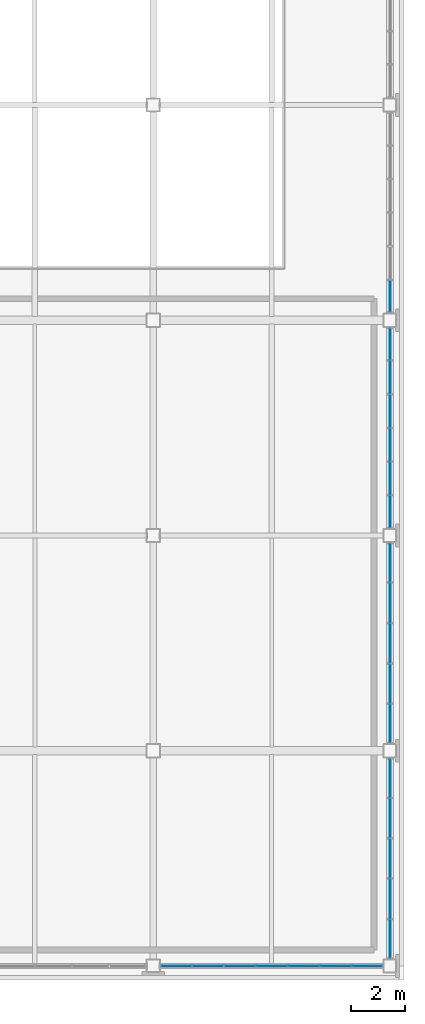
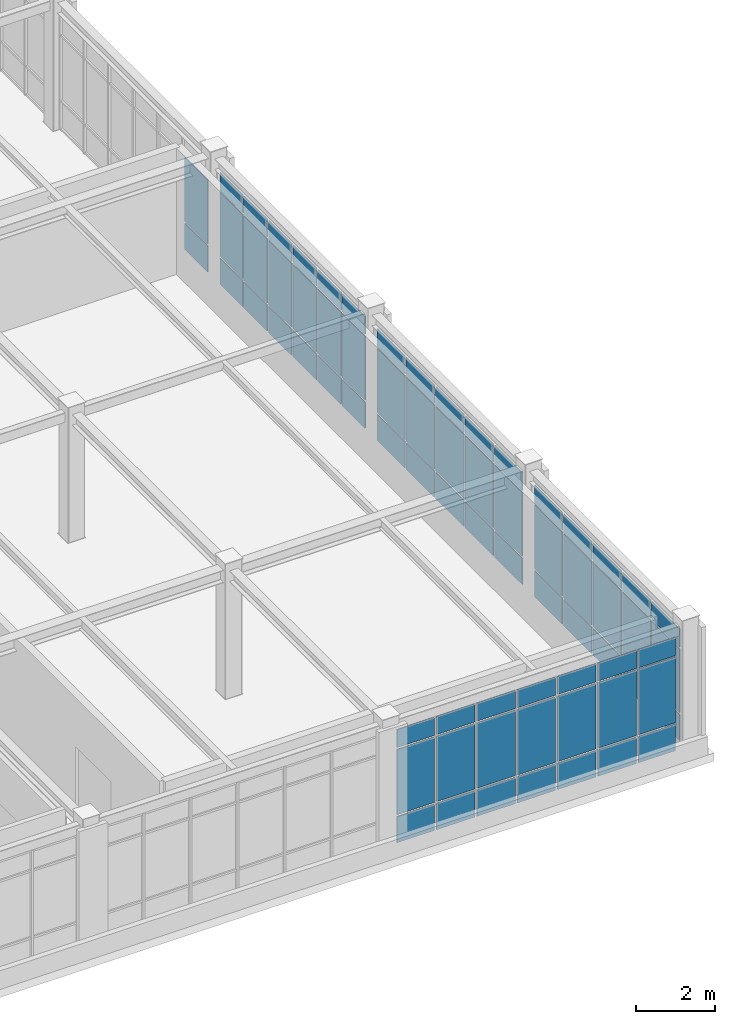
# One storey, part 23 of 45: 71 plates, 5 elements without a shape of their own.
"""IFC4 building model written with IfcOpenShell, lengths in metres."""

from ifc_helpers import new_model, si_unit, direction, frame, origin, origin_2d, place, context, subcontext, project, spatial, rectangle, extrude, material, layer, layer_set, type_object, element, aggregate, save


model = new_model("IFC4")

# Units and contexts
model_context = context("Model", 3, precision=1e-05, world=origin(), true_north=direction((0.0, 1.0)))
body_context = subcontext(model_context, "Body", "Model", "MODEL_VIEW")
ifc_project = project(units=[si_unit("LENGTHUNIT", "METRE"), si_unit("AREAUNIT", "SQUARE_METRE"), si_unit("VOLUMEUNIT", "CUBIC_METRE"), si_unit("PLANEANGLEUNIT", "RADIAN"), si_unit("MASSUNIT", "GRAM", prefix="KILO")], contexts=[model_context])

# Site, building, storey
site_placement = place(None, origin())
site = spatial("IfcSite", under=ifc_project, at=site_placement, CompositionType="ELEMENT")
building_placement = place(site_placement, origin())
building = spatial("IfcBuilding", under=site, at=building_placement, Name="Zhaolan Boulevard Law Courts", CompositionType="ELEMENT")
storey_placement = place(building_placement, frame((0.0, 0.0, 24.60009765625)))
storey = spatial("IfcBuildingStorey", under=building, at=storey_placement, Name="L05", CompositionType="ELEMENT", Elevation=24.60009765625)

# Curtain wall, plates
ifc_material_1 = material(Name="Thermally broken aluminium and low-E glazing", Category="aluminium")
curtain_wall_type_1 = type_object("IfcCurtainWallType", Name="CURTAIN WALL M14", PredefinedType="USERDEFINED", material=ifc_material_1)
curtain_wall_1_placement = place(storey_placement, origin())
curtain_wall_1 = element("IfcCurtainWall", 1, at=curtain_wall_1_placement, inside=storey, type_object=curtain_wall_type_1, Name="Curtain Wall CW-L05-206", ObjectType="CURTAIN WALL", PredefinedType="USERDEFINED")
ifc_material_2 = material(Name="Triple-silver low-E insulated glazing", Category="glass")
ifc_layer = layer(ifc_material_2, 0.028076171875)
ifc_layer_set = layer_set([ifc_layer])
plate_type = type_object("IfcPlateType", Name="CWPANEL LOW E28", PredefinedType="CURTAIN_PANEL", material=ifc_layer_set)
plate_1_placement = place(storey_placement, frame((36.0595703125, 30.0, 0.059814453125), z_axis=(0.0, 0.0, 1.0), x_axis=(1.0, 0.0, 0.0)))
plate_1 = element("IfcPlate", 2, at=plate_1_placement, type_object=plate_type, Name="CW-L05-206 panel 1.1", PredefinedType="CURTAIN_PANEL", context=body_context, shape_type="SweptSolid", body=[
    extrude(rectangle(XDim=1.09521484375, YDim=0.028076171875, at=origin_2d()), origin(), (0.0, 0.0, 1.0), 0.81005859375),
])
plate_2_placement = place(storey_placement, frame((36.0595703125, 30.0, 0.929931640625), z_axis=(0.0, 0.0, 1.0), x_axis=(1.0, 0.0, 0.0)))
plate_2 = element("IfcPlate", 3, at=plate_2_placement, type_object=plate_type, Name="CW-L05-206 panel 1.2", PredefinedType="CURTAIN_PANEL", context=body_context, shape_type="SweptSolid", body=[
    extrude(rectangle(XDim=1.09521484375, YDim=0.028076171875, at=origin_2d()), origin(), (0.0, 0.0, 1.0), 2.02294921875),
])
plate_3_placement = place(storey_placement, frame((36.0595703125, 30.0, 3.012939453125), z_axis=(0.0, 0.0, 1.0), x_axis=(1.0, 0.0, 0.0)))
plate_3 = element("IfcPlate", 4, at=plate_3_placement, type_object=plate_type, Name="CW-L05-206 panel 1.3", PredefinedType="CURTAIN_PANEL", context=body_context, shape_type="SweptSolid", body=[
    extrude(rectangle(XDim=1.09521484375, YDim=0.028076171875, at=origin_2d()), origin(), (0.0, 0.0, 1.0), 0.56005859375),
])
plate_4_placement = place(storey_placement, frame((37.229736328125, 30.0, 0.059814453125), z_axis=(0.0, 0.0, 1.0), x_axis=(1.0, 0.0, 0.0)))
plate_4 = element("IfcPlate", 5, at=plate_4_placement, type_object=plate_type, Name="CW-L05-206 panel 2.1", PredefinedType="CURTAIN_PANEL", context=body_context, shape_type="SweptSolid", body=[
    extrude(rectangle(XDim=1.125244140625, YDim=0.028076171875, at=origin_2d()), origin(), (0.0, 0.0, 1.0), 0.81005859375),
])
plate_5_placement = place(storey_placement, frame((37.229736328125, 30.0, 0.929931640625), z_axis=(0.0, 0.0, 1.0), x_axis=(1.0, 0.0, 0.0)))
plate_5 = element("IfcPlate", 6, at=plate_5_placement, type_object=plate_type, Name="CW-L05-206 panel 2.2", PredefinedType="CURTAIN_PANEL", context=body_context, shape_type="SweptSolid", body=[
    extrude(rectangle(XDim=1.125244140625, YDim=0.028076171875, at=origin_2d()), origin(), (0.0, 0.0, 1.0), 2.02294921875),
])
plate_6_placement = place(storey_placement, frame((37.229736328125, 30.0, 3.012939453125), z_axis=(0.0, 0.0, 1.0), x_axis=(1.0, 0.0, 0.0)))
plate_6 = element("IfcPlate", 7, at=plate_6_placement, type_object=plate_type, Name="CW-L05-206 panel 2.3", PredefinedType="CURTAIN_PANEL", context=body_context, shape_type="SweptSolid", body=[
    extrude(rectangle(XDim=1.125244140625, YDim=0.028076171875, at=origin_2d()), origin(), (0.0, 0.0, 1.0), 0.56005859375),
])
plate_7_placement = place(storey_placement, frame((38.414794921875, 30.0, 0.059814453125), z_axis=(0.0, 0.0, 1.0), x_axis=(1.0, 0.0, 0.0)))
plate_7 = element("IfcPlate", 8, at=plate_7_placement, type_object=plate_type, Name="CW-L05-206 panel 3.1", PredefinedType="CURTAIN_PANEL", context=body_context, shape_type="SweptSolid", body=[
    extrude(rectangle(XDim=1.125244140625, YDim=0.028076171875, at=origin_2d()), origin(), (0.0, 0.0, 1.0), 0.81005859375),
])
plate_8_placement = place(storey_placement, frame((38.414794921875, 30.0, 0.929931640625), z_axis=(0.0, 0.0, 1.0), x_axis=(1.0, 0.0, 0.0)))
plate_8 = element("IfcPlate", 9, at=plate_8_placement, type_object=plate_type, Name="CW-L05-206 panel 3.2", PredefinedType="CURTAIN_PANEL", context=body_context, shape_type="SweptSolid", body=[
    extrude(rectangle(XDim=1.125244140625, YDim=0.028076171875, at=origin_2d()), origin(), (0.0, 0.0, 1.0), 2.02294921875),
])
plate_9_placement = place(storey_placement, frame((38.414794921875, 30.0, 3.012939453125), z_axis=(0.0, 0.0, 1.0), x_axis=(1.0, 0.0, 0.0)))
plate_9 = element("IfcPlate", 10, at=plate_9_placement, type_object=plate_type, Name="CW-L05-206 panel 3.3", PredefinedType="CURTAIN_PANEL", context=body_context, shape_type="SweptSolid", body=[
    extrude(rectangle(XDim=1.125244140625, YDim=0.028076171875, at=origin_2d()), origin(), (0.0, 0.0, 1.0), 0.56005859375),
])
plate_10_placement = place(storey_placement, frame((39.60009765625, 30.0, 0.059814453125), z_axis=(0.0, 0.0, 1.0), x_axis=(1.0, 0.0, 0.0)))
plate_10 = element("IfcPlate", 11, at=plate_10_placement, type_object=plate_type, Name="CW-L05-206 panel 4.1", PredefinedType="CURTAIN_PANEL", context=body_context, shape_type="SweptSolid", body=[
    extrude(rectangle(XDim=1.125244140625, YDim=0.028076171875, at=origin_2d()), origin(), (0.0, 0.0, 1.0), 0.81005859375),
])
plate_11_placement = place(storey_placement, frame((39.60009765625, 30.0, 0.929931640625), z_axis=(0.0, 0.0, 1.0), x_axis=(1.0, 0.0, 0.0)))
plate_11 = element("IfcPlate", 12, at=plate_11_placement, type_object=plate_type, Name="CW-L05-206 panel 4.2", PredefinedType="CURTAIN_PANEL", context=body_context, shape_type="SweptSolid", body=[
    extrude(rectangle(XDim=1.125244140625, YDim=0.028076171875, at=origin_2d()), origin(), (0.0, 0.0, 1.0), 2.02294921875),
])
plate_12_placement = place(storey_placement, frame((39.60009765625, 30.0, 3.012939453125), z_axis=(0.0, 0.0, 1.0), x_axis=(1.0, 0.0, 0.0)))
plate_12 = element("IfcPlate", 13, at=plate_12_placement, type_object=plate_type, Name="CW-L05-206 panel 4.3", PredefinedType="CURTAIN_PANEL", context=body_context, shape_type="SweptSolid", body=[
    extrude(rectangle(XDim=1.125244140625, YDim=0.028076171875, at=origin_2d()), origin(), (0.0, 0.0, 1.0), 0.56005859375),
])
plate_13_placement = place(storey_placement, frame((40.78515625, 30.0, 0.059814453125), z_axis=(0.0, 0.0, 1.0), x_axis=(1.0, 0.0, 0.0)))
plate_13 = element("IfcPlate", 14, at=plate_13_placement, type_object=plate_type, Name="CW-L05-206 panel 5.1", PredefinedType="CURTAIN_PANEL", context=body_context, shape_type="SweptSolid", body=[
    extrude(rectangle(XDim=1.125244140625, YDim=0.028076171875, at=origin_2d()), origin(), (0.0, 0.0, 1.0), 0.81005859375),
])
plate_14_placement = place(storey_placement, frame((40.78515625, 30.0, 0.929931640625), z_axis=(0.0, 0.0, 1.0), x_axis=(1.0, 0.0, 0.0)))
plate_14 = element("IfcPlate", 15, at=plate_14_placement, type_object=plate_type, Name="CW-L05-206 panel 5.2", PredefinedType="CURTAIN_PANEL", context=body_context, shape_type="SweptSolid", body=[
    extrude(rectangle(XDim=1.125244140625, YDim=0.028076171875, at=origin_2d()), origin(), (0.0, 0.0, 1.0), 2.02294921875),
])
plate_15_placement = place(storey_placement, frame((40.78515625, 30.0, 3.012939453125), z_axis=(0.0, 0.0, 1.0), x_axis=(1.0, 0.0, 0.0)))
plate_15 = element("IfcPlate", 16, at=plate_15_placement, type_object=plate_type, Name="CW-L05-206 panel 5.3", PredefinedType="CURTAIN_PANEL", context=body_context, shape_type="SweptSolid", body=[
    extrude(rectangle(XDim=1.125244140625, YDim=0.028076171875, at=origin_2d()), origin(), (0.0, 0.0, 1.0), 0.56005859375),
])
plate_16_placement = place(storey_placement, frame((41.97021484375, 30.0, 0.059814453125), z_axis=(0.0, 0.0, 1.0), x_axis=(1.0, 0.0, 0.0)))
plate_16 = element("IfcPlate", 17, at=plate_16_placement, type_object=plate_type, Name="CW-L05-206 panel 6.1", PredefinedType="CURTAIN_PANEL", context=body_context, shape_type="SweptSolid", body=[
    extrude(rectangle(XDim=1.125244140625, YDim=0.028076171875, at=origin_2d()), origin(), (0.0, 0.0, 1.0), 0.81005859375),
])
plate_17_placement = place(storey_placement, frame((41.97021484375, 30.0, 0.929931640625), z_axis=(0.0, 0.0, 1.0), x_axis=(1.0, 0.0, 0.0)))
plate_17 = element("IfcPlate", 18, at=plate_17_placement, type_object=plate_type, Name="CW-L05-206 panel 6.2", PredefinedType="CURTAIN_PANEL", context=body_context, shape_type="SweptSolid", body=[
    extrude(rectangle(XDim=1.125244140625, YDim=0.028076171875, at=origin_2d()), origin(), (0.0, 0.0, 1.0), 2.02294921875),
])
plate_18_placement = place(storey_placement, frame((41.97021484375, 30.0, 3.012939453125), z_axis=(0.0, 0.0, 1.0), x_axis=(1.0, 0.0, 0.0)))
plate_18 = element("IfcPlate", 19, at=plate_18_placement, type_object=plate_type, Name="CW-L05-206 panel 6.3", PredefinedType="CURTAIN_PANEL", context=body_context, shape_type="SweptSolid", body=[
    extrude(rectangle(XDim=1.125244140625, YDim=0.028076171875, at=origin_2d()), origin(), (0.0, 0.0, 1.0), 0.56005859375),
])
plate_19_placement = place(storey_placement, frame((43.140380859375, 30.0, 0.059814453125), z_axis=(0.0, 0.0, 1.0), x_axis=(1.0, 0.0, 0.0)))
plate_19 = element("IfcPlate", 20, at=plate_19_placement, type_object=plate_type, Name="CW-L05-206 panel 7.1", PredefinedType="CURTAIN_PANEL", context=body_context, shape_type="SweptSolid", body=[
    extrude(rectangle(XDim=1.09521484375, YDim=0.028076171875, at=origin_2d()), origin(), (0.0, 0.0, 1.0), 0.81005859375),
])
plate_20_placement = place(storey_placement, frame((43.140380859375, 30.0, 0.929931640625), z_axis=(0.0, 0.0, 1.0), x_axis=(1.0, 0.0, 0.0)))
plate_20 = element("IfcPlate", 21, at=plate_20_placement, type_object=plate_type, Name="CW-L05-206 panel 7.2", PredefinedType="CURTAIN_PANEL", context=body_context, shape_type="SweptSolid", body=[
    extrude(rectangle(XDim=1.09521484375, YDim=0.028076171875, at=origin_2d()), origin(), (0.0, 0.0, 1.0), 2.02294921875),
])
plate_21_placement = place(storey_placement, frame((43.140380859375, 30.0, 3.012939453125), z_axis=(0.0, 0.0, 1.0), x_axis=(1.0, 0.0, 0.0)))
plate_21 = element("IfcPlate", 22, at=plate_21_placement, type_object=plate_type, Name="CW-L05-206 panel 7.3", PredefinedType="CURTAIN_PANEL", context=body_context, shape_type="SweptSolid", body=[
    extrude(rectangle(XDim=1.09521484375, YDim=0.028076171875, at=origin_2d()), origin(), (0.0, 0.0, 1.0), 0.56005859375),
])
aggregate(curtain_wall_1, [plate_1, plate_2, plate_3, plate_4, plate_5, plate_6, plate_7, plate_8, plate_9, plate_10, plate_11, plate_12, plate_13, plate_14, plate_15, plate_16, plate_17, plate_18, plate_19, plate_20, plate_21])

ifc_material_3 = material(Name="Thermally broken aluminium and low-E glazing", Category="aluminium")
curtain_wall_type_2 = type_object("IfcCurtainWallType", Name="CURTAIN WALL M2", PredefinedType="USERDEFINED", material=ifc_material_3)
curtain_wall_2_placement = place(storey_placement, origin())
curtain_wall_2 = element("IfcCurtainWall", 23, at=curtain_wall_2_placement, inside=storey, type_object=curtain_wall_type_2, Name="Curtain Wall CW-L05-218", ObjectType="CURTAIN WALL", PredefinedType="USERDEFINED")
plate_22_placement = place(storey_placement, frame((44.0, 31.0166015625, 0.059814453125), z_axis=(0.0, 0.0, 1.0), x_axis=(0.0, 1.0, 0.0)))
plate_22 = element("IfcPlate", 24, at=plate_22_placement, type_object=plate_type, Name="CW-L05-218 panel 1.1", PredefinedType="CURTAIN_PANEL", context=body_context, shape_type="SweptSolid", body=[
    extrude(rectangle(XDim=1.4091796875, YDim=0.028076171875, at=origin_2d()), origin(), (0.0, 0.0, 1.0), 0.81005859375),
])
plate_23_placement = place(storey_placement, frame((44.0, 31.0166015625, 0.929931640625), z_axis=(0.0, 0.0, 1.0), x_axis=(0.0, 1.0, 0.0)))
plate_23 = element("IfcPlate", 25, at=plate_23_placement, type_object=plate_type, Name="CW-L05-218 panel 1.2", PredefinedType="CURTAIN_PANEL", context=body_context, shape_type="SweptSolid", body=[
    extrude(rectangle(XDim=1.4091796875, YDim=0.028076171875, at=origin_2d()), origin(), (0.0, 0.0, 1.0), 1.98291015625),
])
plate_24_placement = place(storey_placement, frame((44.0, 31.0166015625, 2.972900390625), z_axis=(0.0, 0.0, 1.0), x_axis=(0.0, 1.0, 0.0)))
plate_24 = element("IfcPlate", 26, at=plate_24_placement, type_object=plate_type, Name="CW-L05-218 panel 1.3", PredefinedType="CURTAIN_PANEL", context=body_context, shape_type="SweptSolid", body=[
    extrude(rectangle(XDim=1.4091796875, YDim=0.028076171875, at=origin_2d()), origin(), (0.0, 0.0, 1.0), 0.56005859375),
])
plate_25_placement = place(storey_placement, frame((44.0, 32.500732421875, 0.059814453125), z_axis=(0.0, 0.0, 1.0), x_axis=(0.0, 1.0, 0.0)))
plate_25 = element("IfcPlate", 27, at=plate_25_placement, type_object=plate_type, Name="CW-L05-218 panel 2.1", PredefinedType="CURTAIN_PANEL", context=body_context, shape_type="SweptSolid", body=[
    extrude(rectangle(XDim=1.439208984375, YDim=0.028076171875, at=origin_2d()), origin(), (0.0, 0.0, 1.0), 0.81005859375),
])
plate_26_placement = place(storey_placement, frame((44.0, 32.500732421875, 0.929931640625), z_axis=(0.0, 0.0, 1.0), x_axis=(0.0, 1.0, 0.0)))
plate_26 = element("IfcPlate", 28, at=plate_26_placement, type_object=plate_type, Name="CW-L05-218 panel 2.2", PredefinedType="CURTAIN_PANEL", context=body_context, shape_type="SweptSolid", body=[
    extrude(rectangle(XDim=1.439208984375, YDim=0.028076171875, at=origin_2d()), origin(), (0.0, 0.0, 1.0), 1.98291015625),
])
plate_27_placement = place(storey_placement, frame((44.0, 32.500732421875, 2.972900390625), z_axis=(0.0, 0.0, 1.0), x_axis=(0.0, 1.0, 0.0)))
plate_27 = element("IfcPlate", 29, at=plate_27_placement, type_object=plate_type, Name="CW-L05-218 panel 2.3", PredefinedType="CURTAIN_PANEL", context=body_context, shape_type="SweptSolid", body=[
    extrude(rectangle(XDim=1.439208984375, YDim=0.028076171875, at=origin_2d()), origin(), (0.0, 0.0, 1.0), 0.56005859375),
])
plate_28_placement = place(storey_placement, frame((44.0, 34.0, 0.059814453125), z_axis=(0.0, 0.0, 1.0), x_axis=(0.0, 1.0, 0.0)))
plate_28 = element("IfcPlate", 30, at=plate_28_placement, type_object=plate_type, Name="CW-L05-218 panel 3.1", PredefinedType="CURTAIN_PANEL", context=body_context, shape_type="SweptSolid", body=[
    extrude(rectangle(XDim=1.439208984375, YDim=0.028076171875, at=origin_2d()), origin(), (0.0, 0.0, 1.0), 0.81005859375),
])
plate_29_placement = place(storey_placement, frame((44.0, 34.0, 0.929931640625), z_axis=(0.0, 0.0, 1.0), x_axis=(0.0, 1.0, 0.0)))
plate_29 = element("IfcPlate", 31, at=plate_29_placement, type_object=plate_type, Name="CW-L05-218 panel 3.2", PredefinedType="CURTAIN_PANEL", context=body_context, shape_type="SweptSolid", body=[
    extrude(rectangle(XDim=1.439208984375, YDim=0.028076171875, at=origin_2d()), origin(), (0.0, 0.0, 1.0), 1.98291015625),
])
plate_30_placement = place(storey_placement, frame((44.0, 34.0, 2.972900390625), z_axis=(0.0, 0.0, 1.0), x_axis=(0.0, 1.0, 0.0)))
plate_30 = element("IfcPlate", 32, at=plate_30_placement, type_object=plate_type, Name="CW-L05-218 panel 3.3", PredefinedType="CURTAIN_PANEL", context=body_context, shape_type="SweptSolid", body=[
    extrude(rectangle(XDim=1.439208984375, YDim=0.028076171875, at=origin_2d()), origin(), (0.0, 0.0, 1.0), 0.56005859375),
])
plate_31_placement = place(storey_placement, frame((44.0, 35.499267578125, 0.059814453125), z_axis=(0.0, 0.0, 1.0), x_axis=(0.0, 1.0, 0.0)))
plate_31 = element("IfcPlate", 33, at=plate_31_placement, type_object=plate_type, Name="CW-L05-218 panel 4.1", PredefinedType="CURTAIN_PANEL", context=body_context, shape_type="SweptSolid", body=[
    extrude(rectangle(XDim=1.439208984375, YDim=0.028076171875, at=origin_2d()), origin(), (0.0, 0.0, 1.0), 0.81005859375),
])
plate_32_placement = place(storey_placement, frame((44.0, 35.499267578125, 0.929931640625), z_axis=(0.0, 0.0, 1.0), x_axis=(0.0, 1.0, 0.0)))
plate_32 = element("IfcPlate", 34, at=plate_32_placement, type_object=plate_type, Name="CW-L05-218 panel 4.2", PredefinedType="CURTAIN_PANEL", context=body_context, shape_type="SweptSolid", body=[
    extrude(rectangle(XDim=1.439208984375, YDim=0.028076171875, at=origin_2d()), origin(), (0.0, 0.0, 1.0), 1.98291015625),
])
plate_33_placement = place(storey_placement, frame((44.0, 35.499267578125, 2.972900390625), z_axis=(0.0, 0.0, 1.0), x_axis=(0.0, 1.0, 0.0)))
plate_33 = element("IfcPlate", 35, at=plate_33_placement, type_object=plate_type, Name="CW-L05-218 panel 4.3", PredefinedType="CURTAIN_PANEL", context=body_context, shape_type="SweptSolid", body=[
    extrude(rectangle(XDim=1.439208984375, YDim=0.028076171875, at=origin_2d()), origin(), (0.0, 0.0, 1.0), 0.56005859375),
])
plate_34_placement = place(storey_placement, frame((44.0, 36.9833984375, 0.059814453125), z_axis=(0.0, 0.0, 1.0), x_axis=(0.0, 1.0, 0.0)))
plate_34 = element("IfcPlate", 36, at=plate_34_placement, type_object=plate_type, Name="CW-L05-218 panel 5.1", PredefinedType="CURTAIN_PANEL", context=body_context, shape_type="SweptSolid", body=[
    extrude(rectangle(XDim=1.4091796875, YDim=0.028076171875, at=origin_2d()), origin(), (0.0, 0.0, 1.0), 0.81005859375),
])
plate_35_placement = place(storey_placement, frame((44.0, 36.9833984375, 0.929931640625), z_axis=(0.0, 0.0, 1.0), x_axis=(0.0, 1.0, 0.0)))
plate_35 = element("IfcPlate", 37, at=plate_35_placement, type_object=plate_type, Name="CW-L05-218 panel 5.2", PredefinedType="CURTAIN_PANEL", context=body_context, shape_type="SweptSolid", body=[
    extrude(rectangle(XDim=1.4091796875, YDim=0.028076171875, at=origin_2d()), origin(), (0.0, 0.0, 1.0), 1.98291015625),
])
plate_36_placement = place(storey_placement, frame((44.0, 36.9833984375, 2.972900390625), z_axis=(0.0, 0.0, 1.0), x_axis=(0.0, 1.0, 0.0)))
plate_36 = element("IfcPlate", 38, at=plate_36_placement, type_object=plate_type, Name="CW-L05-218 panel 5.3", PredefinedType="CURTAIN_PANEL", context=body_context, shape_type="SweptSolid", body=[
    extrude(rectangle(XDim=1.4091796875, YDim=0.028076171875, at=origin_2d()), origin(), (0.0, 0.0, 1.0), 0.56005859375),
])
aggregate(curtain_wall_2, [plate_22, plate_23, plate_24, plate_25, plate_26, plate_27, plate_28, plate_29, plate_30, plate_31, plate_32, plate_33, plate_34, plate_35, plate_36])

ifc_material_4 = material(Name="Thermally broken aluminium and low-E glazing", Category="aluminium")
curtain_wall_type_3 = type_object("IfcCurtainWallType", Name="CURTAIN WALL M3", PredefinedType="USERDEFINED", material=ifc_material_4)
curtain_wall_3_placement = place(storey_placement, origin())
curtain_wall_3 = element("IfcCurtainWall", 39, at=curtain_wall_3_placement, inside=storey, type_object=curtain_wall_type_3, Name="Curtain Wall CW-L05-219", ObjectType="CURTAIN WALL", PredefinedType="USERDEFINED")
plate_37_placement = place(storey_placement, frame((44.0, 39.0166015625, 0.059814453125), z_axis=(0.0, 0.0, 1.0), x_axis=(0.0, 1.0, 0.0)))
plate_37 = element("IfcPlate", 40, at=plate_37_placement, type_object=plate_type, Name="CW-L05-219 panel 1.1", PredefinedType="CURTAIN_PANEL", context=body_context, shape_type="SweptSolid", body=[
    extrude(rectangle(XDim=1.4091796875, YDim=0.028076171875, at=origin_2d()), origin(), (0.0, 0.0, 1.0), 0.81005859375),
])
plate_38_placement = place(storey_placement, frame((44.0, 39.0166015625, 0.929931640625), z_axis=(0.0, 0.0, 1.0), x_axis=(0.0, 1.0, 0.0)))
plate_38 = element("IfcPlate", 41, at=plate_38_placement, type_object=plate_type, Name="CW-L05-219 panel 1.2", PredefinedType="CURTAIN_PANEL", context=body_context, shape_type="SweptSolid", body=[
    extrude(rectangle(XDim=1.4091796875, YDim=0.028076171875, at=origin_2d()), origin(), (0.0, 0.0, 1.0), 1.98291015625),
])
plate_39_placement = place(storey_placement, frame((44.0, 39.0166015625, 2.972900390625), z_axis=(0.0, 0.0, 1.0), x_axis=(0.0, 1.0, 0.0)))
plate_39 = element("IfcPlate", 42, at=plate_39_placement, type_object=plate_type, Name="CW-L05-219 panel 1.3", PredefinedType="CURTAIN_PANEL", context=body_context, shape_type="SweptSolid", body=[
    extrude(rectangle(XDim=1.4091796875, YDim=0.028076171875, at=origin_2d()), origin(), (0.0, 0.0, 1.0), 0.56005859375),
])
plate_40_placement = place(storey_placement, frame((44.0, 40.500732421875, 0.059814453125), z_axis=(0.0, 0.0, 1.0), x_axis=(0.0, 1.0, 0.0)))
plate_40 = element("IfcPlate", 43, at=plate_40_placement, type_object=plate_type, Name="CW-L05-219 panel 2.1", PredefinedType="CURTAIN_PANEL", context=body_context, shape_type="SweptSolid", body=[
    extrude(rectangle(XDim=1.439208984375, YDim=0.028076171875, at=origin_2d()), origin(), (0.0, 0.0, 1.0), 0.81005859375),
])
plate_41_placement = place(storey_placement, frame((44.0, 40.500732421875, 0.929931640625), z_axis=(0.0, 0.0, 1.0), x_axis=(0.0, 1.0, 0.0)))
plate_41 = element("IfcPlate", 44, at=plate_41_placement, type_object=plate_type, Name="CW-L05-219 panel 2.2", PredefinedType="CURTAIN_PANEL", context=body_context, shape_type="SweptSolid", body=[
    extrude(rectangle(XDim=1.439208984375, YDim=0.028076171875, at=origin_2d()), origin(), (0.0, 0.0, 1.0), 1.98291015625),
])
plate_42_placement = place(storey_placement, frame((44.0, 40.500732421875, 2.972900390625), z_axis=(0.0, 0.0, 1.0), x_axis=(0.0, 1.0, 0.0)))
plate_42 = element("IfcPlate", 45, at=plate_42_placement, type_object=plate_type, Name="CW-L05-219 panel 2.3", PredefinedType="CURTAIN_PANEL", context=body_context, shape_type="SweptSolid", body=[
    extrude(rectangle(XDim=1.439208984375, YDim=0.028076171875, at=origin_2d()), origin(), (0.0, 0.0, 1.0), 0.56005859375),
])
plate_43_placement = place(storey_placement, frame((44.0, 42.0, 0.059814453125), z_axis=(0.0, 0.0, 1.0), x_axis=(0.0, 1.0, 0.0)))
plate_43 = element("IfcPlate", 46, at=plate_43_placement, type_object=plate_type, Name="CW-L05-219 panel 3.1", PredefinedType="CURTAIN_PANEL", context=body_context, shape_type="SweptSolid", body=[
    extrude(rectangle(XDim=1.439208984375, YDim=0.028076171875, at=origin_2d()), origin(), (0.0, 0.0, 1.0), 0.81005859375),
])
plate_44_placement = place(storey_placement, frame((44.0, 42.0, 0.929931640625), z_axis=(0.0, 0.0, 1.0), x_axis=(0.0, 1.0, 0.0)))
plate_44 = element("IfcPlate", 47, at=plate_44_placement, type_object=plate_type, Name="CW-L05-219 panel 3.2", PredefinedType="CURTAIN_PANEL", context=body_context, shape_type="SweptSolid", body=[
    extrude(rectangle(XDim=1.439208984375, YDim=0.028076171875, at=origin_2d()), origin(), (0.0, 0.0, 1.0), 1.98291015625),
])
plate_45_placement = place(storey_placement, frame((44.0, 42.0, 2.972900390625), z_axis=(0.0, 0.0, 1.0), x_axis=(0.0, 1.0, 0.0)))
plate_45 = element("IfcPlate", 48, at=plate_45_placement, type_object=plate_type, Name="CW-L05-219 panel 3.3", PredefinedType="CURTAIN_PANEL", context=body_context, shape_type="SweptSolid", body=[
    extrude(rectangle(XDim=1.439208984375, YDim=0.028076171875, at=origin_2d()), origin(), (0.0, 0.0, 1.0), 0.56005859375),
])
plate_46_placement = place(storey_placement, frame((44.0, 43.499267578125, 0.059814453125), z_axis=(0.0, 0.0, 1.0), x_axis=(0.0, 1.0, 0.0)))
plate_46 = element("IfcPlate", 49, at=plate_46_placement, type_object=plate_type, Name="CW-L05-219 panel 4.1", PredefinedType="CURTAIN_PANEL", context=body_context, shape_type="SweptSolid", body=[
    extrude(rectangle(XDim=1.439208984375, YDim=0.028076171875, at=origin_2d()), origin(), (0.0, 0.0, 1.0), 0.81005859375),
])
plate_47_placement = place(storey_placement, frame((44.0, 43.499267578125, 0.929931640625), z_axis=(0.0, 0.0, 1.0), x_axis=(0.0, 1.0, 0.0)))
plate_47 = element("IfcPlate", 50, at=plate_47_placement, type_object=plate_type, Name="CW-L05-219 panel 4.2", PredefinedType="CURTAIN_PANEL", context=body_context, shape_type="SweptSolid", body=[
    extrude(rectangle(XDim=1.439208984375, YDim=0.028076171875, at=origin_2d()), origin(), (0.0, 0.0, 1.0), 1.98291015625),
])
plate_48_placement = place(storey_placement, frame((44.0, 43.499267578125, 2.972900390625), z_axis=(0.0, 0.0, 1.0), x_axis=(0.0, 1.0, 0.0)))
plate_48 = element("IfcPlate", 51, at=plate_48_placement, type_object=plate_type, Name="CW-L05-219 panel 4.3", PredefinedType="CURTAIN_PANEL", context=body_context, shape_type="SweptSolid", body=[
    extrude(rectangle(XDim=1.439208984375, YDim=0.028076171875, at=origin_2d()), origin(), (0.0, 0.0, 1.0), 0.56005859375),
])
plate_49_placement = place(storey_placement, frame((44.0, 44.9833984375, 0.059814453125), z_axis=(0.0, 0.0, 1.0), x_axis=(0.0, 1.0, 0.0)))
plate_49 = element("IfcPlate", 52, at=plate_49_placement, type_object=plate_type, Name="CW-L05-219 panel 5.1", PredefinedType="CURTAIN_PANEL", context=body_context, shape_type="SweptSolid", body=[
    extrude(rectangle(XDim=1.4091796875, YDim=0.028076171875, at=origin_2d()), origin(), (0.0, 0.0, 1.0), 0.81005859375),
])
plate_50_placement = place(storey_placement, frame((44.0, 44.9833984375, 0.929931640625), z_axis=(0.0, 0.0, 1.0), x_axis=(0.0, 1.0, 0.0)))
plate_50 = element("IfcPlate", 53, at=plate_50_placement, type_object=plate_type, Name="CW-L05-219 panel 5.2", PredefinedType="CURTAIN_PANEL", context=body_context, shape_type="SweptSolid", body=[
    extrude(rectangle(XDim=1.4091796875, YDim=0.028076171875, at=origin_2d()), origin(), (0.0, 0.0, 1.0), 1.98291015625),
])
plate_51_placement = place(storey_placement, frame((44.0, 44.9833984375, 2.972900390625), z_axis=(0.0, 0.0, 1.0), x_axis=(0.0, 1.0, 0.0)))
plate_51 = element("IfcPlate", 54, at=plate_51_placement, type_object=plate_type, Name="CW-L05-219 panel 5.3", PredefinedType="CURTAIN_PANEL", context=body_context, shape_type="SweptSolid", body=[
    extrude(rectangle(XDim=1.4091796875, YDim=0.028076171875, at=origin_2d()), origin(), (0.0, 0.0, 1.0), 0.56005859375),
])
aggregate(curtain_wall_3, [plate_37, plate_38, plate_39, plate_40, plate_41, plate_42, plate_43, plate_44, plate_45, plate_46, plate_47, plate_48, plate_49, plate_50, plate_51])

ifc_material_5 = material(Name="Thermally broken aluminium and low-E glazing", Category="aluminium")
curtain_wall_type_4 = type_object("IfcCurtainWallType", Name="CURTAIN WALL M4", PredefinedType="USERDEFINED", material=ifc_material_5)
curtain_wall_4_placement = place(storey_placement, origin())
curtain_wall_4 = element("IfcCurtainWall", 55, at=curtain_wall_4_placement, inside=storey, type_object=curtain_wall_type_4, Name="Curtain Wall CW-L05-220", ObjectType="CURTAIN WALL", PredefinedType="USERDEFINED")
plate_52_placement = place(storey_placement, frame((44.0, 46.8916015625, 0.059814453125), z_axis=(0.0, 0.0, 1.0), x_axis=(0.0, 1.0, 0.0)))
plate_52 = element("IfcPlate", 56, at=plate_52_placement, type_object=plate_type, Name="CW-L05-220 panel 1.1", PredefinedType="CURTAIN_PANEL", context=body_context, shape_type="SweptSolid", body=[
    extrude(rectangle(XDim=1.159423828125, YDim=0.028076171875, at=origin_2d()), origin(), (0.0, 0.0, 1.0), 0.81005859375),
])
plate_53_placement = place(storey_placement, frame((44.0, 46.8916015625, 0.929931640625), z_axis=(0.0, 0.0, 1.0), x_axis=(0.0, 1.0, 0.0)))
plate_53 = element("IfcPlate", 57, at=plate_53_placement, type_object=plate_type, Name="CW-L05-220 panel 1.2", PredefinedType="CURTAIN_PANEL", context=body_context, shape_type="SweptSolid", body=[
    extrude(rectangle(XDim=1.159423828125, YDim=0.028076171875, at=origin_2d()), origin(), (0.0, 0.0, 1.0), 1.98291015625),
])
plate_54_placement = place(storey_placement, frame((44.0, 46.8916015625, 2.972900390625), z_axis=(0.0, 0.0, 1.0), x_axis=(0.0, 1.0, 0.0)))
plate_54 = element("IfcPlate", 58, at=plate_54_placement, type_object=plate_type, Name="CW-L05-220 panel 1.3", PredefinedType="CURTAIN_PANEL", context=body_context, shape_type="SweptSolid", body=[
    extrude(rectangle(XDim=1.159423828125, YDim=0.028076171875, at=origin_2d()), origin(), (0.0, 0.0, 1.0), 0.56005859375),
])
plate_55_placement = place(storey_placement, frame((44.0, 48.1259765625, 0.059814453125), z_axis=(0.0, 0.0, 1.0), x_axis=(0.0, 1.0, 0.0)))
plate_55 = element("IfcPlate", 59, at=plate_55_placement, type_object=plate_type, Name="CW-L05-220 panel 2.1", PredefinedType="CURTAIN_PANEL", context=body_context, shape_type="SweptSolid", body=[
    extrude(rectangle(XDim=1.189453125, YDim=0.028076171875, at=origin_2d()), origin(), (0.0, 0.0, 1.0), 0.81005859375),
])
plate_56_placement = place(storey_placement, frame((44.0, 48.1259765625, 0.929931640625), z_axis=(0.0, 0.0, 1.0), x_axis=(0.0, 1.0, 0.0)))
plate_56 = element("IfcPlate", 60, at=plate_56_placement, type_object=plate_type, Name="CW-L05-220 panel 2.2", PredefinedType="CURTAIN_PANEL", context=body_context, shape_type="SweptSolid", body=[
    extrude(rectangle(XDim=1.189453125, YDim=0.028076171875, at=origin_2d()), origin(), (0.0, 0.0, 1.0), 1.98291015625),
])
plate_57_placement = place(storey_placement, frame((44.0, 48.1259765625, 2.972900390625), z_axis=(0.0, 0.0, 1.0), x_axis=(0.0, 1.0, 0.0)))
plate_57 = element("IfcPlate", 61, at=plate_57_placement, type_object=plate_type, Name="CW-L05-220 panel 2.3", PredefinedType="CURTAIN_PANEL", context=body_context, shape_type="SweptSolid", body=[
    extrude(rectangle(XDim=1.189453125, YDim=0.028076171875, at=origin_2d()), origin(), (0.0, 0.0, 1.0), 0.56005859375),
])
plate_58_placement = place(storey_placement, frame((44.0, 49.375244140625, 0.059814453125), z_axis=(0.0, 0.0, 1.0), x_axis=(0.0, 1.0, 0.0)))
plate_58 = element("IfcPlate", 62, at=plate_58_placement, type_object=plate_type, Name="CW-L05-220 panel 3.1", PredefinedType="CURTAIN_PANEL", context=body_context, shape_type="SweptSolid", body=[
    extrude(rectangle(XDim=1.189453125, YDim=0.028076171875, at=origin_2d()), origin(), (0.0, 0.0, 1.0), 0.81005859375),
])
plate_59_placement = place(storey_placement, frame((44.0, 49.375244140625, 0.929931640625), z_axis=(0.0, 0.0, 1.0), x_axis=(0.0, 1.0, 0.0)))
plate_59 = element("IfcPlate", 63, at=plate_59_placement, type_object=plate_type, Name="CW-L05-220 panel 3.2", PredefinedType="CURTAIN_PANEL", context=body_context, shape_type="SweptSolid", body=[
    extrude(rectangle(XDim=1.189453125, YDim=0.028076171875, at=origin_2d()), origin(), (0.0, 0.0, 1.0), 1.98291015625),
])
plate_60_placement = place(storey_placement, frame((44.0, 49.375244140625, 2.972900390625), z_axis=(0.0, 0.0, 1.0), x_axis=(0.0, 1.0, 0.0)))
plate_60 = element("IfcPlate", 64, at=plate_60_placement, type_object=plate_type, Name="CW-L05-220 panel 3.3", PredefinedType="CURTAIN_PANEL", context=body_context, shape_type="SweptSolid", body=[
    extrude(rectangle(XDim=1.189453125, YDim=0.028076171875, at=origin_2d()), origin(), (0.0, 0.0, 1.0), 0.56005859375),
])
plate_61_placement = place(storey_placement, frame((44.0, 50.624755859375, 0.059814453125), z_axis=(0.0, 0.0, 1.0), x_axis=(0.0, 1.0, 0.0)))
plate_61 = element("IfcPlate", 65, at=plate_61_placement, type_object=plate_type, Name="CW-L05-220 panel 4.1", PredefinedType="CURTAIN_PANEL", context=body_context, shape_type="SweptSolid", body=[
    extrude(rectangle(XDim=1.189453125, YDim=0.028076171875, at=origin_2d()), origin(), (0.0, 0.0, 1.0), 0.81005859375),
])
plate_62_placement = place(storey_placement, frame((44.0, 50.624755859375, 0.929931640625), z_axis=(0.0, 0.0, 1.0), x_axis=(0.0, 1.0, 0.0)))
plate_62 = element("IfcPlate", 66, at=plate_62_placement, type_object=plate_type, Name="CW-L05-220 panel 4.2", PredefinedType="CURTAIN_PANEL", context=body_context, shape_type="SweptSolid", body=[
    extrude(rectangle(XDim=1.189453125, YDim=0.028076171875, at=origin_2d()), origin(), (0.0, 0.0, 1.0), 1.98291015625),
])
plate_63_placement = place(storey_placement, frame((44.0, 50.624755859375, 2.972900390625), z_axis=(0.0, 0.0, 1.0), x_axis=(0.0, 1.0, 0.0)))
plate_63 = element("IfcPlate", 67, at=plate_63_placement, type_object=plate_type, Name="CW-L05-220 panel 4.3", PredefinedType="CURTAIN_PANEL", context=body_context, shape_type="SweptSolid", body=[
    extrude(rectangle(XDim=1.189453125, YDim=0.028076171875, at=origin_2d()), origin(), (0.0, 0.0, 1.0), 0.56005859375),
])
plate_64_placement = place(storey_placement, frame((44.0, 51.8740234375, 0.059814453125), z_axis=(0.0, 0.0, 1.0), x_axis=(0.0, 1.0, 0.0)))
plate_64 = element("IfcPlate", 68, at=plate_64_placement, type_object=plate_type, Name="CW-L05-220 panel 5.1", PredefinedType="CURTAIN_PANEL", context=body_context, shape_type="SweptSolid", body=[
    extrude(rectangle(XDim=1.189453125, YDim=0.028076171875, at=origin_2d()), origin(), (0.0, 0.0, 1.0), 0.81005859375),
])
plate_65_placement = place(storey_placement, frame((44.0, 51.8740234375, 0.929931640625), z_axis=(0.0, 0.0, 1.0), x_axis=(0.0, 1.0, 0.0)))
plate_65 = element("IfcPlate", 69, at=plate_65_placement, type_object=plate_type, Name="CW-L05-220 panel 5.2", PredefinedType="CURTAIN_PANEL", context=body_context, shape_type="SweptSolid", body=[
    extrude(rectangle(XDim=1.189453125, YDim=0.028076171875, at=origin_2d()), origin(), (0.0, 0.0, 1.0), 1.98291015625),
])
plate_66_placement = place(storey_placement, frame((44.0, 51.8740234375, 2.972900390625), z_axis=(0.0, 0.0, 1.0), x_axis=(0.0, 1.0, 0.0)))
plate_66 = element("IfcPlate", 70, at=plate_66_placement, type_object=plate_type, Name="CW-L05-220 panel 5.3", PredefinedType="CURTAIN_PANEL", context=body_context, shape_type="SweptSolid", body=[
    extrude(rectangle(XDim=1.189453125, YDim=0.028076171875, at=origin_2d()), origin(), (0.0, 0.0, 1.0), 0.56005859375),
])
plate_67_placement = place(storey_placement, frame((44.0, 53.1083984375, 0.059814453125), z_axis=(0.0, 0.0, 1.0), x_axis=(0.0, 1.0, 0.0)))
plate_67 = element("IfcPlate", 71, at=plate_67_placement, type_object=plate_type, Name="CW-L05-220 panel 6.1", PredefinedType="CURTAIN_PANEL", context=body_context, shape_type="SweptSolid", body=[
    extrude(rectangle(XDim=1.159423828125, YDim=0.028076171875, at=origin_2d()), origin(), (0.0, 0.0, 1.0), 0.81005859375),
])
plate_68_placement = place(storey_placement, frame((44.0, 53.1083984375, 0.929931640625), z_axis=(0.0, 0.0, 1.0), x_axis=(0.0, 1.0, 0.0)))
plate_68 = element("IfcPlate", 72, at=plate_68_placement, type_object=plate_type, Name="CW-L05-220 panel 6.2", PredefinedType="CURTAIN_PANEL", context=body_context, shape_type="SweptSolid", body=[
    extrude(rectangle(XDim=1.159423828125, YDim=0.028076171875, at=origin_2d()), origin(), (0.0, 0.0, 1.0), 1.98291015625),
])
plate_69_placement = place(storey_placement, frame((44.0, 53.1083984375, 2.972900390625), z_axis=(0.0, 0.0, 1.0), x_axis=(0.0, 1.0, 0.0)))
plate_69 = element("IfcPlate", 73, at=plate_69_placement, type_object=plate_type, Name="CW-L05-220 panel 6.3", PredefinedType="CURTAIN_PANEL", context=body_context, shape_type="SweptSolid", body=[
    extrude(rectangle(XDim=1.159423828125, YDim=0.028076171875, at=origin_2d()), origin(), (0.0, 0.0, 1.0), 0.56005859375),
])
aggregate(curtain_wall_4, [plate_52, plate_53, plate_54, plate_55, plate_56, plate_57, plate_58, plate_59, plate_60, plate_61, plate_62, plate_63, plate_64, plate_65, plate_66, plate_67, plate_68, plate_69])

ifc_material_6 = material(Name="Thermally broken aluminium and low-E glazing", Category="aluminium")
curtain_wall_type_5 = type_object("IfcCurtainWallType", Name="CURTAIN WALL M5", PredefinedType="USERDEFINED", material=ifc_material_6)
curtain_wall_5_placement = place(storey_placement, origin())
curtain_wall_5 = element("IfcCurtainWall", 74, at=curtain_wall_5_placement, inside=storey, type_object=curtain_wall_type_5, Name="Curtain Wall CW-L05-221", ObjectType="CURTAIN WALL", PredefinedType="USERDEFINED")
plate_70_placement = place(storey_placement, frame((44.0, 54.8916015625, 0.059814453125), z_axis=(0.0, 0.0, 1.0), x_axis=(0.0, 1.0, 0.0)))
plate_70 = element("IfcPlate", 75, at=plate_70_placement, type_object=plate_type, Name="CW-L05-221 panel 1.1", PredefinedType="CURTAIN_PANEL", context=body_context, shape_type="SweptSolid", body=[
    extrude(rectangle(XDim=1.159423828125, YDim=0.028076171875, at=origin_2d()), origin(), (0.0, 0.0, 1.0), 0.81005859375),
])
plate_71_placement = place(storey_placement, frame((44.0, 54.8916015625, 0.929931640625), z_axis=(0.0, 0.0, 1.0), x_axis=(0.0, 1.0, 0.0)))
plate_71 = element("IfcPlate", 76, at=plate_71_placement, type_object=plate_type, Name="CW-L05-221 panel 1.2", PredefinedType="CURTAIN_PANEL", context=body_context, shape_type="SweptSolid", body=[
    extrude(rectangle(XDim=1.159423828125, YDim=0.028076171875, at=origin_2d()), origin(), (0.0, 0.0, 1.0), 1.98291015625),
])
aggregate(curtain_wall_5, [plate_70, plate_71])

save(model, "model.ifc")
